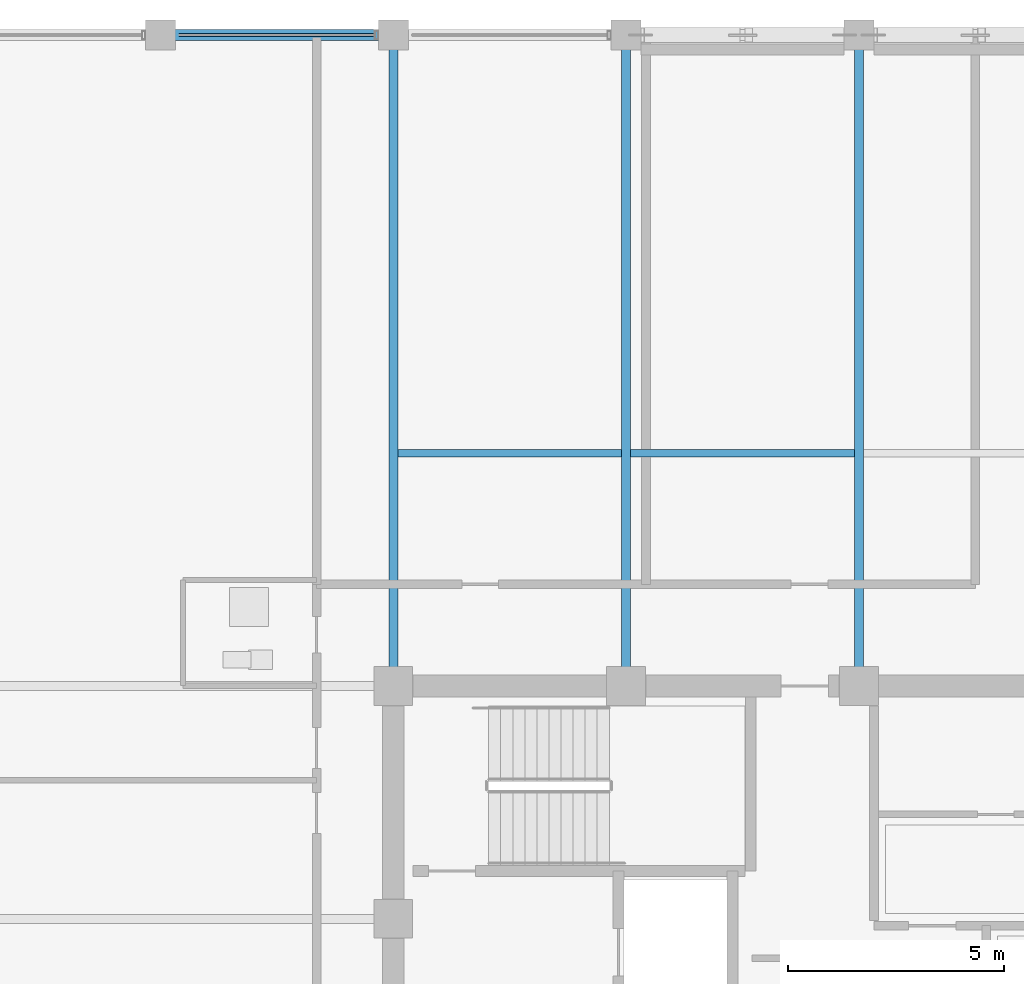
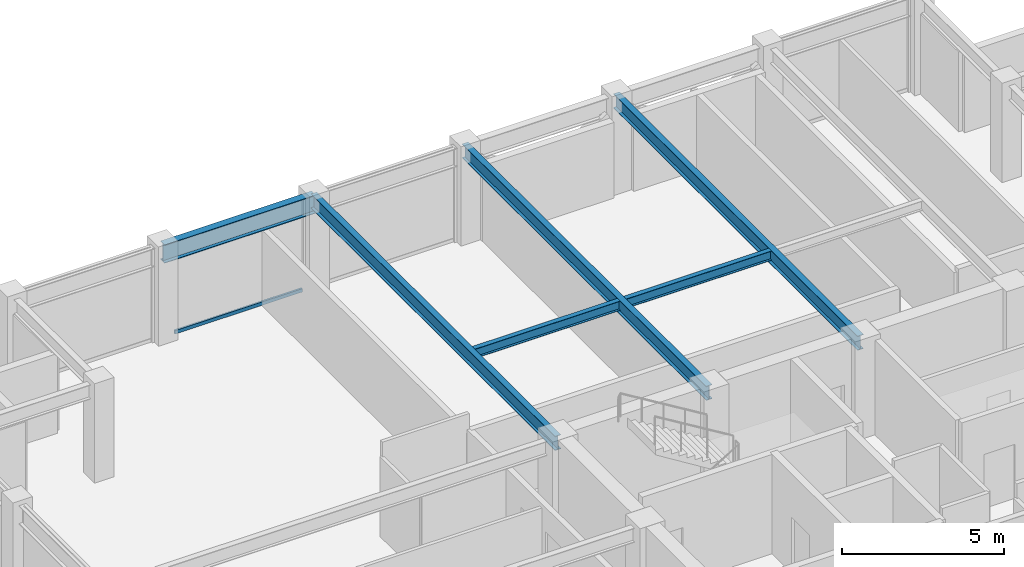
# One storey, part 16 of 31: 6 beams, 1 member, 1 element without a shape of its own.
"""IFC4 building model written with IfcOpenShell, lengths in metres."""

from ifc_helpers import new_model, si_unit, direction, frame, origin, origin_2d, place, context, subcontext, project, spatial, hollow_rectangle, i_section, extrude, material, layer, layer_set, material_profile, profile_set, type_object, element, aggregate, save


model = new_model("IFC4")

# Units and contexts
model_context = context("Model", 3, precision=1e-05, world=origin(), true_north=direction((0.0, 1.0)))
body_context = subcontext(model_context, "Body", "Model", "MODEL_VIEW")
ifc_project = project(units=[si_unit("LENGTHUNIT", "METRE"), si_unit("AREAUNIT", "SQUARE_METRE"), si_unit("VOLUMEUNIT", "CUBIC_METRE"), si_unit("PLANEANGLEUNIT", "RADIAN"), si_unit("MASSUNIT", "GRAM", prefix="KILO")], contexts=[model_context])

# Site, building, storey
site_placement = place(None, origin())
site = spatial("IfcSite", under=ifc_project, at=site_placement, CompositionType="ELEMENT")
building_placement = place(site_placement, origin())
building = spatial("IfcBuilding", under=site, at=building_placement, Name="Surkhivell Harbour Commons", CompositionType="ELEMENT")
storey_placement = place(building_placement, frame((0.0, 0.0, 318.75)))
storey = spatial("IfcBuildingStorey", under=building, at=storey_placement, Name="L83", CompositionType="ELEMENT", Elevation=318.75)

# Beams
ifc_material_1 = material(Name="Steel S355", Category="steel")
ifc_material_profile_1 = material_profile(ifc_material_1, i_section(OverallWidth=0.2099609375, OverallDepth=0.537109375, WebThickness=0.0107421875, FlangeThickness=0.017333984375, at=origin_2d()), Name="UB533x210x101")
ifc_profile_set_1 = profile_set([ifc_material_profile_1], Name="Steel S355")
beam_type_1 = type_object("IfcBeamType", Name="BM-GRD-533B", PredefinedType="BEAM", material=ifc_profile_set_1)
for number, where, z_axis, x_axis, name in (
    (1, (-10.800048828125, 10.800048828125, 3.301513671875), (0.0, 1.0, 0.0), (-1.0, 0.0, 0.0), "L83 Floor Girder (-10.8,10.8)"),
    (2, (-5.39990234375, 10.800048828125, 3.301513671875), (0.0, 1.0, 0.0), (-1.0, 0.0, 0.0), "L83 Floor Girder (-5.4,10.8)"),
    (3, (0.0, 10.800048828125, 3.301513671875), (0.0, 1.0, 0.0), (-1.0, 0.0, 0.0), "L83 Floor Girder (0.0,10.8)"),
):
    element("IfcBeam", number, at=place(storey_placement, frame(where, z_axis=z_axis, x_axis=x_axis)), inside=storey, type_object=beam_type_1, Name=name, PredefinedType="BEAM", context=body_context, shape_type="SweptSolid", body=[
        extrude(i_section(OverallWidth=0.2099609375, OverallDepth=0.537109375, WebThickness=0.0107421875, FlangeThickness=0.017333984375, at=origin_2d()), origin(), (0.0, 0.0, 1.0), 15.099853515625),
    ])
ifc_material_profile_2 = material_profile(ifc_material_1, i_section(OverallWidth=0.172119140625, OverallDepth=0.35791015625, WebThickness=0.008056640625, FlangeThickness=0.012939453125, at=origin_2d()), Name="UB356x171x57")
ifc_profile_set_2 = profile_set([ifc_material_profile_2], Name="Steel S355")
beam_type_2 = type_object("IfcBeamType", Name="BM-JST-356", PredefinedType="JOIST", material=ifc_profile_set_2)
for number, where, z_axis, x_axis, name in (
    (4, (-10.697021484375, 16.199951171875, 3.39111328125), (1.0, 0.0, 0.0), (0.0, 1.0, 0.0), "L83 North Composite Joist (-10.8)"),
    (5, (-5.297119140625, 16.199951171875, 3.39111328125), (1.0, 0.0, 0.0), (0.0, 1.0, 0.0), "L83 North Composite Joist (-5.4)"),
):
    element("IfcBeam", number, at=place(storey_placement, frame(where, z_axis=z_axis, x_axis=x_axis)), inside=storey, type_object=beam_type_2, Name=name, PredefinedType="JOIST", context=body_context, shape_type="SweptSolid", body=[
        extrude(i_section(OverallWidth=0.172119140625, OverallDepth=0.35791015625, WebThickness=0.008056640625, FlangeThickness=0.012939453125, at=origin_2d()), origin(), (0.0, 0.0, 1.0), 5.194091796875),
    ])
ifc_material_profile_3 = material_profile(ifc_material_1, i_section(OverallWidth=0.256103515625, OverallDepth=0.693115234375, WebThickness=0.014404296875, FlangeThickness=0.023681640625, at=origin_2d()), Name="UB686x254x170")
ifc_profile_set_3 = profile_set([ifc_material_profile_3], Name="Steel S355")
beam_type_3 = type_object("IfcBeamType", Name="BM-SPN-686", PredefinedType="SPANDREL", material=ifc_profile_set_3)
beam_placement = place(storey_placement, frame((-16.199951171875, 25.89990234375, 3.223388671875), z_axis=(1.0, 0.0, 0.0), x_axis=(0.0, 1.0, 0.0)))
element("IfcBeam", 6, at=beam_placement, inside=storey, type_object=beam_type_3, Name="L83 Tube Spandrel (-16.2,25.9)", PredefinedType="SPANDREL", context=body_context, shape_type="SweptSolid", body=[
    extrude(i_section(OverallWidth=0.256103515625, OverallDepth=0.693115234375, WebThickness=0.014404296875, FlangeThickness=0.023681640625, at=origin_2d()), origin(), (0.0, 0.0, 1.0), 5.39990234375),
])

# Curtain wall, member
ifc_material_2 = material(Name="Anodised pale-metal aluminium and insulated glazing", Category="aluminium")
ifc_layer = layer(ifc_material_2, 0.175048828125)
ifc_layer_set = layer_set([ifc_layer], Name="Anodised pale-metal aluminium and insulated glazing")
curtain_wall_type = type_object("IfcCurtainWallType", Name="CW-SYS-Z4", PredefinedType="NOTDEFINED", material=ifc_layer_set)
curtain_wall_placement = place(storey_placement, origin())
curtain_wall = element("IfcCurtainWall", 7, at=curtain_wall_placement, inside=storey, type_object=curtain_wall_type, Name="L83 Curtain Wall CW-L83-E07S2", PredefinedType="NOTDEFINED")
ifc_material_3 = material(Name="Champagne anodised aluminium alloy 6063-T6", Category="aluminium")
ifc_material_profile_4 = material_profile(ifc_material_3, hollow_rectangle(XDim=0.070068359375, YDim=0.1298828125, WallThickness=0.00341796875, at=origin_2d()), Name="ALU-TRAN-70x130")
ifc_profile_set_4 = profile_set([ifc_material_profile_4], Name="Champagne anodised aluminium alloy 6063-T6")
member_type = type_object("IfcMemberType", Name="CWT-130", PredefinedType="USERDEFINED", material=ifc_profile_set_4)
member_placement = place(storey_placement, frame((-11.22705078125, 25.89990234375, 0.06494140625), z_axis=(-1.0, 0.0, 0.0), x_axis=(0.0, -1.0, 0.0)))
member = element("IfcMember", 8, at=member_placement, type_object=member_type, Name="CW-Z4 transom 2.1", ObjectType="TRANSOM", PredefinedType="USERDEFINED", context=body_context, shape_type="SweptSolid", body=[
    extrude(hollow_rectangle(XDim=0.070068359375, YDim=0.1298828125, WallThickness=0.00341796875, at=origin_2d()), origin(), (0.0, 0.0, 1.0), 4.5458984375),
])
aggregate(curtain_wall, [member])

save(model, "model.ifc")
